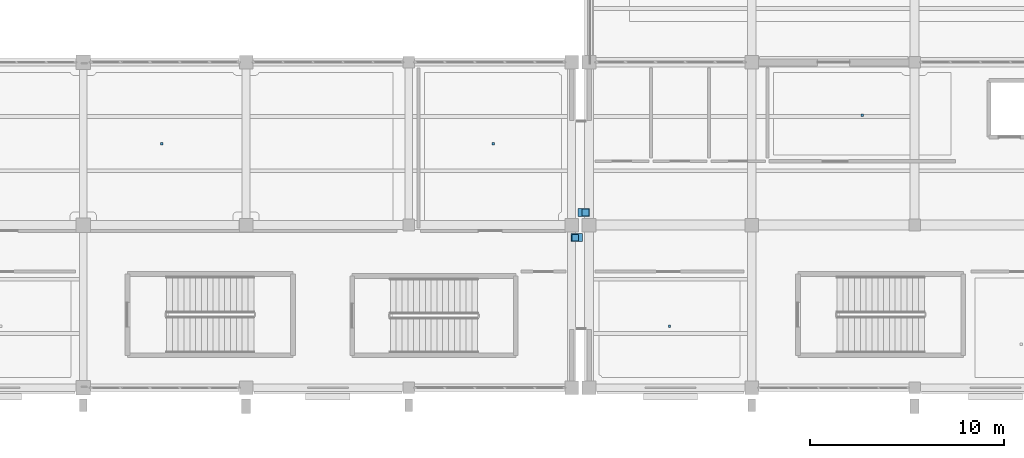
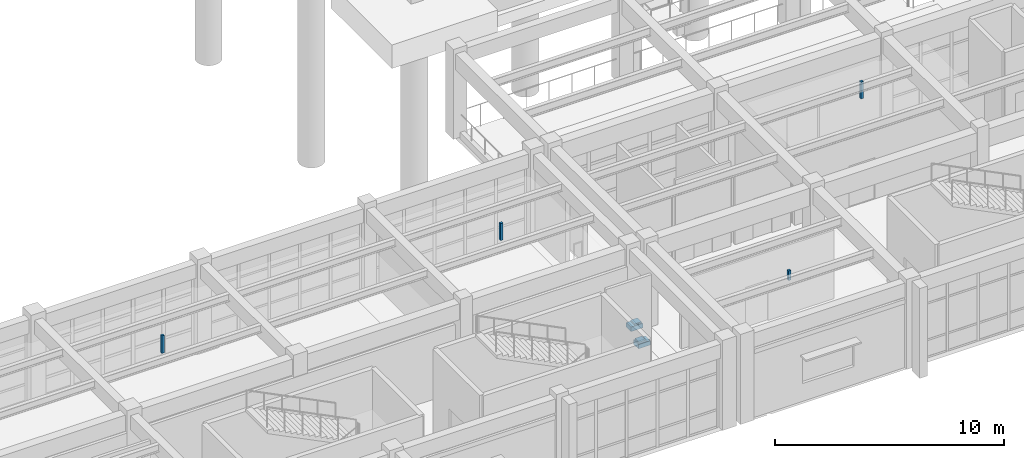
# One storey, part 81 of 98: 8 discrete accessories.
"""IFC4 building model written with IfcOpenShell, lengths in metres."""

from ifc_helpers import new_model, si_unit, direction, frame, origin, origin_2d, place, context, subcontext, project, spatial, rectangle, extrude, material, layer, layer_set, type_object, element, save


model = new_model("IFC4")

# Units and contexts
model_context = context("Model", 3, precision=1e-05, world=origin(), true_north=direction((0.0, 1.0)))
body_context = subcontext(model_context, "Body", "Model", "MODEL_VIEW")
ifc_project = project(units=[si_unit("LENGTHUNIT", "METRE"), si_unit("AREAUNIT", "SQUARE_METRE"), si_unit("VOLUMEUNIT", "CUBIC_METRE"), si_unit("PLANEANGLEUNIT", "RADIAN"), si_unit("MASSUNIT", "GRAM", prefix="KILO")], contexts=[model_context])

# Site, building, storey
site_placement = place(None, origin())
site = spatial("IfcSite", under=ifc_project, at=site_placement, CompositionType="ELEMENT")
building_placement = place(site_placement, origin())
building = spatial("IfcBuilding", under=site, at=building_placement, Name="Canglan Escarpment Cableway Terminal", CompositionType="ELEMENT")
storey_placement = place(building_placement, frame((0.0, 0.0, 9.60009765625)))
storey = spatial("IfcBuildingStorey", under=building, at=storey_placement, Name="L02", CompositionType="ELEMENT", Elevation=9.60009765625)

# Discrete accessories
ifc_material_1 = material(Name="Steel Q355B", Category="steel")
ifc_layer_1 = layer(ifc_material_1, 0.159912109375, Name="Steel Q355B")
ifc_layer_set_1 = layer_set([ifc_layer_1], Name="Steel Q355B")
discrete_accessory_type_1 = type_object("IfcDiscreteAccessoryType", Name="ACC-BRACKET-01", PredefinedType="BRACKET", material=ifc_layer_set_1)
discrete_accessory_1_placement = place(storey_placement, frame((89.449951171875, 20.60009765625, 3.58984375), z_axis=(0.0, 0.0, 1.0), x_axis=(1.0, 0.0, 0.0)))
element("IfcDiscreteAccessory", 1, at=discrete_accessory_1_placement, inside=storey, type_object=discrete_accessory_type_1, Name="Suspended ceiling hanger bracket BK-01", PredefinedType="BRACKET", context=body_context, shape_type="SweptSolid", body=[
    extrude(rectangle(XDim=0.1201171875, YDim=0.1201171875, at=origin_2d()), origin(), (0.0, 0.0, 1.0), 0.949951171875),
])
for number, where, z_axis, x_axis, name in (
    (2, (106.550048828125, 20.60009765625, 3.6298828125), (0.0, 0.0, 1.0), (1.0, 0.0, 0.0), "Suspended ceiling hanger bracket BK-01"),
    (3, (125.60009765625, 22.070068359375, 3.6298828125), (0.0, 0.0, 1.0), (1.0, 0.0, 0.0), "Suspended ceiling hanger bracket BK-01"),
):
    element("IfcDiscreteAccessory", number, at=place(storey_placement, frame(where, z_axis=z_axis, x_axis=x_axis)), inside=storey, type_object=discrete_accessory_type_1, Name=name, PredefinedType="BRACKET", context=body_context, shape_type="SweptSolid", body=[
        extrude(rectangle(XDim=0.1201171875, YDim=0.1201171875, at=origin_2d()), origin(), (0.0, 0.0, 1.0), 0.909912109375),
    ])
discrete_accessory_2_placement = place(storey_placement, frame((115.64990234375, 11.17578125, 4.02978515625), z_axis=(0.0, 0.0, 1.0), x_axis=(1.0, 0.0, 0.0)))
element("IfcDiscreteAccessory", 4, at=discrete_accessory_2_placement, inside=storey, type_object=discrete_accessory_type_1, Name="Suspended ceiling hanger bracket BK-01", PredefinedType="BRACKET", context=body_context, shape_type="SweptSolid", body=[
    extrude(rectangle(XDim=0.1201171875, YDim=0.1201171875, at=origin_2d()), origin(), (0.0, 0.0, 1.0), 0.510009765625),
])
ifc_material_2 = material(Name="Concrete C40", Category="concrete")
ifc_layer_2 = layer(ifc_material_2, 0.239990234375, Name="Concrete C40")
ifc_layer_set_2 = layer_set([ifc_layer_2], Name="Concrete C40")
discrete_accessory_type_2 = type_object("IfcDiscreteAccessoryType", Name="ACC-CORBEL-CB01", PredefinedType="BRACKET", material=ifc_layer_set_2)
for number, where, z_axis, x_axis, name in (
    (5, (110.864990234375, 15.75, -0.5400390625), (0.0, 0.0, 1.0), (1.0, 0.0, 0.0), "Concrete C40 movement-joint corbel bearing ledge CB-01"),
    (6, (111.235107421875, 17.050048828125, -0.5400390625), (0.0, 0.0, 1.0), (1.0, 0.0, 0.0), "Concrete C40 movement-joint corbel bearing ledge CB-01"),
):
    element("IfcDiscreteAccessory", number, at=place(storey_placement, frame(where, z_axis=z_axis, x_axis=x_axis)), inside=storey, type_object=discrete_accessory_type_2, Name=name, PredefinedType="BRACKET", context=body_context, shape_type="SweptSolid", body=[
        extrude(rectangle(XDim=0.60009765625, YDim=0.419921875, at=origin_2d()), origin(), (0.0, 0.0, 1.0), 0.239990234375),
    ])
ifc_material_3 = material(Name="Stainless steel and PTFE elastomer", Category="steel")
ifc_layer_3 = layer(ifc_material_3, 0.080078125, Name="Stainless steel and PTFE elastomer")
ifc_layer_set_3 = layer_set([ifc_layer_3], Name="Stainless steel and PTFE elastomer")
discrete_accessory_type_3 = type_object("IfcDiscreteAccessoryType", Name="BRG-SLIDING-MJ01", PredefinedType="USERDEFINED", material=ifc_layer_set_3)
for number, where, z_axis, x_axis, name in (
    (7, (110.784912109375, 15.75, -0.300048828125), (0.0, 0.0, 1.0), (1.0, 0.0, 0.0), "Unguided PTFE-elastomeric sliding bearing pad MJ-01"),
    (8, (111.31494140625, 17.050048828125, -0.300048828125), (0.0, 0.0, 1.0), (1.0, 0.0, 0.0), "Unguided PTFE-elastomeric sliding bearing pad MJ-01"),
):
    element("IfcDiscreteAccessory", number, at=place(storey_placement, frame(where, z_axis=z_axis, x_axis=x_axis)), inside=storey, type_object=discrete_accessory_type_3, Name=name, ObjectType="SLIDING BEARING", PredefinedType="USERDEFINED", context=body_context, shape_type="SweptSolid", body=[
        extrude(rectangle(XDim=0.35009765625, YDim=0.35009765625, at=origin_2d()), origin(), (0.0, 0.0, 1.0), 0.080078125),
    ])

save(model, "model.ifc")
